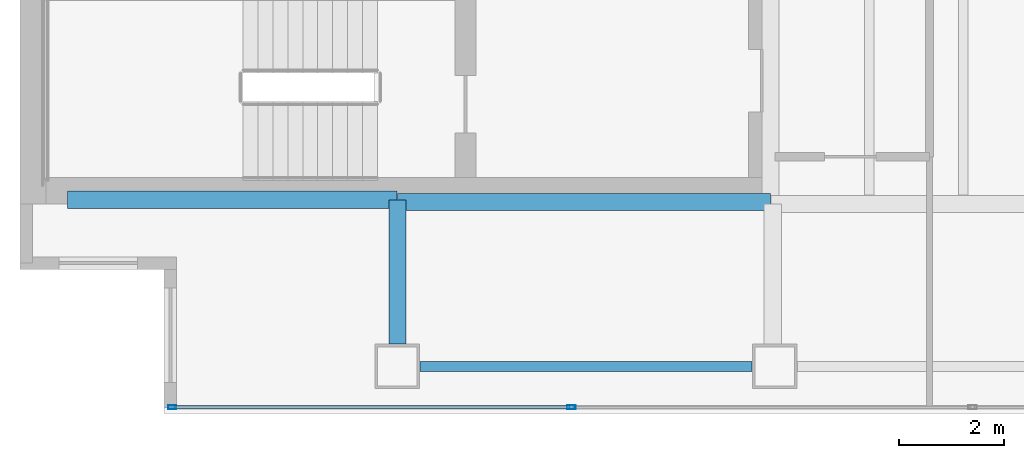
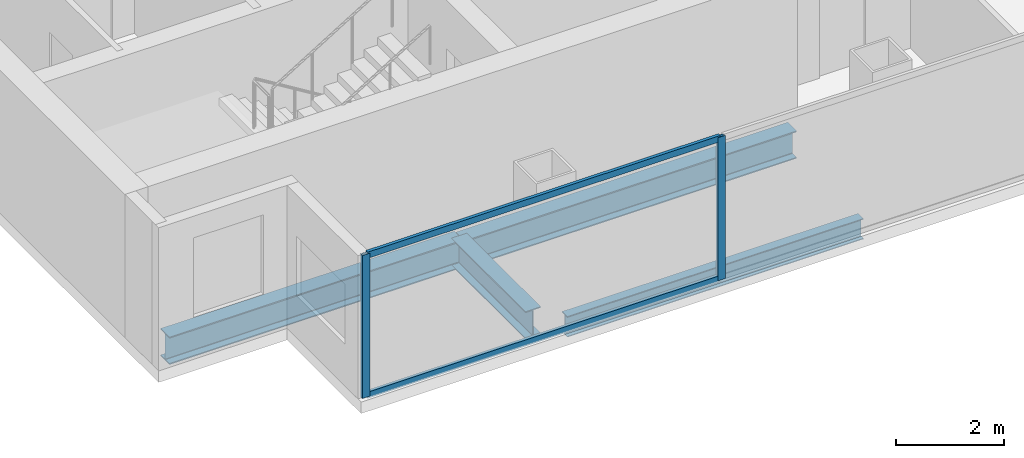
# One storey, part 2 of 23: 4 beams, 4 members, 1 element without a shape of its own.
"""IFC4 building model written with IfcOpenShell, lengths in metres."""

from ifc_helpers import new_model, si_unit, direction, frame, origin, origin_2d, place, context, subcontext, project, spatial, hollow_rectangle, i_section, extrude, material, material_profile, profile_set, type_object, element, aggregate, save


model = new_model("IFC4")

# Units and contexts
model_context = context("Model", 3, precision=1e-05, world=origin(), true_north=direction((0.0, 1.0)))
body_context = subcontext(model_context, "Body", "Model", "MODEL_VIEW")
ifc_project = project(units=[si_unit("LENGTHUNIT", "METRE"), si_unit("AREAUNIT", "SQUARE_METRE"), si_unit("VOLUMEUNIT", "CUBIC_METRE"), si_unit("PLANEANGLEUNIT", "RADIAN"), si_unit("MASSUNIT", "GRAM", prefix="KILO")], contexts=[model_context])

# Site, building, storey
site_placement = place(None, origin())
site = spatial("IfcSite", under=ifc_project, at=site_placement, CompositionType="ELEMENT")
building_placement = place(site_placement, origin())
building = spatial("IfcBuilding", under=site, at=building_placement, Name="Cobrela Telecom Tower", CompositionType="ELEMENT")
storey_placement = place(building_placement, frame((0.0, 0.0, 176.75)))
storey = spatial("IfcBuildingStorey", under=building, at=storey_placement, Name="L44", CompositionType="ELEMENT", Elevation=176.75)

# Beams
ifc_material_1 = material(Name="Steel ASTM A992 Grade 50", Category="steel")
ifc_material_profile_1 = material_profile(ifc_material_1, i_section(OverallWidth=0.327880859375, OverallDepth=0.6220703125, WebThickness=0.015380859375, FlangeThickness=0.0244140625, FilletRadius=0.014892578125, at=origin_2d()), Name="W24X131")
ifc_profile_set_1 = profile_set([ifc_material_profile_1], Name="Steel ASTM A992 Grade 50")
beam_type_1 = type_object("IfcBeamType", Name="BM-GIRD-06", PredefinedType="USERDEFINED", material=ifc_profile_set_1)
beam_1_placement = place(storey_placement, frame((0.905029296875, 7.280029296875, -0.571044921875), z_axis=(1.0, 0.0, 0.0), x_axis=(0.0, 1.0, 0.0)))
element("IfcBeam", 1, at=beam_1_placement, inside=storey, type_object=beam_type_1, Name="L44 Primary Girder X05", ObjectType="GIRDER", PredefinedType="USERDEFINED", context=body_context, shape_type="SweptSolid", body=[
    extrude(i_section(OverallWidth=0.327880859375, OverallDepth=0.6220703125, WebThickness=0.015380859375, FlangeThickness=0.0244140625, FilletRadius=0.014892578125, at=origin_2d()), origin(), (0.0, 0.0, 1.0), 6.2900390625),
])
beam_2_placement = place(storey_placement, frame((7.205078125, 7.239990234375, -0.571044921875), z_axis=(1.0, 0.0, 0.0), x_axis=(0.0, 1.0, 0.0)))
element("IfcBeam", 2, at=beam_2_placement, inside=storey, type_object=beam_type_1, Name="L44 Primary Girder X06", ObjectType="GIRDER", PredefinedType="USERDEFINED", context=body_context, shape_type="SweptSolid", body=[
    extrude(i_section(OverallWidth=0.327880859375, OverallDepth=0.6220703125, WebThickness=0.015380859375, FlangeThickness=0.0244140625, FilletRadius=0.014892578125, at=origin_2d()), origin(), (0.0, 0.0, 1.0), 7.10986328125),
])
beam_3_placement = place(storey_placement, frame((7.199951171875, 4.530029296875, -0.571044921875), z_axis=(0.0, 1.0, 0.0), x_axis=(-1.0, 0.0, 0.0)))
element("IfcBeam", 3, at=beam_3_placement, inside=storey, type_object=beam_type_1, Name="L44 Primary Girder Y24", ObjectType="GIRDER", PredefinedType="USERDEFINED", context=body_context, shape_type="SweptSolid", body=[
    extrude(i_section(OverallWidth=0.327880859375, OverallDepth=0.6220703125, WebThickness=0.015380859375, FlangeThickness=0.0244140625, FilletRadius=0.014892578125, at=origin_2d()), origin(), (0.0, 0.0, 1.0), 2.744873046875),
])
ifc_material_profile_2 = material_profile(ifc_material_1, i_section(OverallWidth=0.193115234375, OverallDepth=0.467041015625, WebThickness=0.011474609375, FlangeThickness=0.01904296875, FilletRadius=0.012939453125, at=origin_2d()), Name="W18X65")
ifc_profile_set_2 = profile_set([ifc_material_profile_2], Name="Steel ASTM A992 Grade 50")
beam_type_2 = type_object("IfcBeamType", Name="BM-SPAND-05", PredefinedType="SPANDREL", material=ifc_profile_set_2)
beam_4_placement = place(storey_placement, frame((7.6298828125, 4.10009765625, -0.493408203125), z_axis=(1.0, 0.0, 0.0), x_axis=(0.0, 1.0, 0.0)))
element("IfcBeam", 4, at=beam_4_placement, inside=storey, type_object=beam_type_2, Name="L44 Perimeter Spandrel X01", PredefinedType="SPANDREL", context=body_context, shape_type="SweptSolid", body=[
    extrude(i_section(OverallWidth=0.193115234375, OverallDepth=0.467041015625, WebThickness=0.011474609375, FlangeThickness=0.01904296875, FilletRadius=0.012939453125, at=origin_2d()), origin(), (0.0, 0.0, 1.0), 6.340087890625),
])

# Curtain wall, members
ifc_material_2 = material(Name="Anodized Bronze Aluminium 6063-T6", Category="aluminium")
curtain_wall_type = type_object("IfcCurtainWallType", Name="CW-SYS-OFF-LO", PredefinedType="USERDEFINED", material=ifc_material_2)
curtain_wall_placement = place(storey_placement, origin())
curtain_wall = element("IfcCurtainWall", 5, at=curtain_wall_placement, inside=storey, type_object=curtain_wall_type, Name="L44 Unitised Bronze Curtain Wall 17", ObjectType="UNITISED CURTAIN WALL", PredefinedType="USERDEFINED")
ifc_material_profile_3 = material_profile(ifc_material_2, hollow_rectangle(XDim=0.070068359375, YDim=0.159912109375, WallThickness=0.00390625, at=origin_2d()), Name="ALU 70x160x4")
ifc_profile_set_3 = profile_set([ifc_material_profile_3], Name="Anodized Bronze Aluminium 6063-T6")
member_type_1 = type_object("IfcMemberType", Name="CW-SYS-OFF-LO-MUL", PredefinedType="MULLION", material=ifc_profile_set_3)
member_1_placement = place(storey_placement, frame((10.52197265625, 3.320068359375, 0.0), z_axis=(0.0, 0.0, 1.0), x_axis=(0.0, -1.0, 0.0)))
member_1 = element("IfcMember", 6, at=member_1_placement, type_object=member_type_1, Name="CW-OFF-LO mullion 5", PredefinedType="MULLION", context=body_context, shape_type="SweptSolid", body=[
    extrude(hollow_rectangle(XDim=0.070068359375, YDim=0.159912109375, WallThickness=0.00390625, at=origin_2d()), origin(), (0.0, 0.0, 1.0), 3.239990234375),
])
member_2_placement = place(storey_placement, frame((2.905029296875, 3.320068359375, 0.0), z_axis=(0.0, 0.0, 1.0), x_axis=(0.0, -1.0, 0.0)))
member_2 = element("IfcMember", 7, at=member_2_placement, type_object=member_type_1, Name="CW-OFF-LO mullion 6", PredefinedType="MULLION", context=body_context, shape_type="SweptSolid", body=[
    extrude(hollow_rectangle(XDim=0.070068359375, YDim=0.159912109375, WallThickness=0.00390625, at=origin_2d()), origin(), (0.0, 0.0, 1.0), 3.239990234375),
])
ifc_material_profile_4 = material_profile(ifc_material_2, hollow_rectangle(XDim=0.070068359375, YDim=0.139892578125, WallThickness=0.00390625, at=origin_2d()), Name="ALU 70x140x4")
ifc_profile_set_4 = profile_set([ifc_material_profile_4], Name="Anodized Bronze Aluminium 6063-T6")
member_type_2 = type_object("IfcMemberType", Name="CW-SYS-OFF-LO-TRN", PredefinedType="USERDEFINED", material=ifc_profile_set_4)
member_3_placement = place(storey_placement, frame((10.487060546875, 3.320068359375, 0.034912109375), z_axis=(-1.0, 0.0, 0.0), x_axis=(0.0, -1.0, 0.0)))
member_3 = element("IfcMember", 8, at=member_3_placement, type_object=member_type_2, Name="CW-OFF-LO transom 5.1", ObjectType="TRANSOM", PredefinedType="USERDEFINED", context=body_context, shape_type="SweptSolid", body=[
    extrude(hollow_rectangle(XDim=0.070068359375, YDim=0.139892578125, WallThickness=0.00390625, at=origin_2d()), origin(), (0.0, 0.0, 1.0), 7.547119140625),
])
member_4_placement = place(storey_placement, frame((10.487060546875, 3.320068359375, 3.205078125), z_axis=(-1.0, 0.0, 0.0), x_axis=(0.0, -1.0, 0.0)))
member_4 = element("IfcMember", 9, at=member_4_placement, type_object=member_type_2, Name="CW-OFF-LO transom 5.2", ObjectType="TRANSOM", PredefinedType="USERDEFINED", context=body_context, shape_type="SweptSolid", body=[
    extrude(hollow_rectangle(XDim=0.070068359375, YDim=0.139892578125, WallThickness=0.00390625, at=origin_2d()), origin(), (0.0, 0.0, 1.0), 7.547119140625),
])
aggregate(curtain_wall, [member_1, member_2, member_3, member_4])

save(model, "model.ifc")
